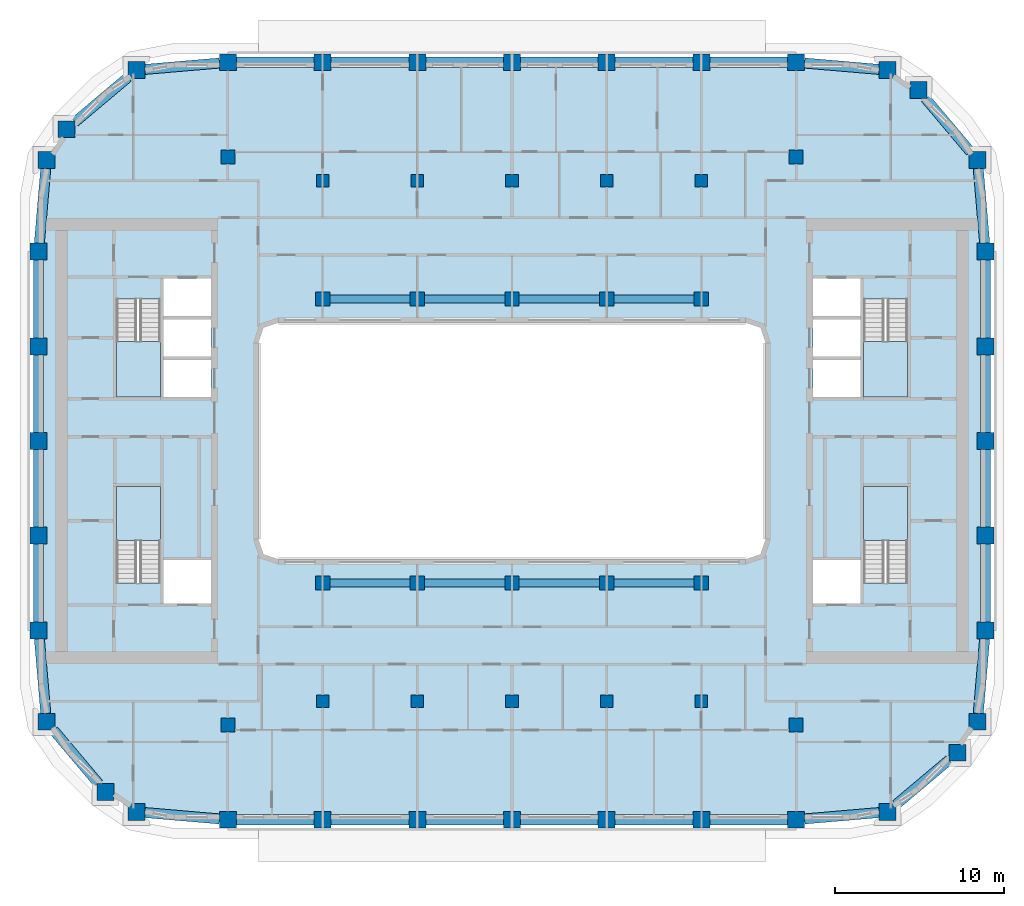
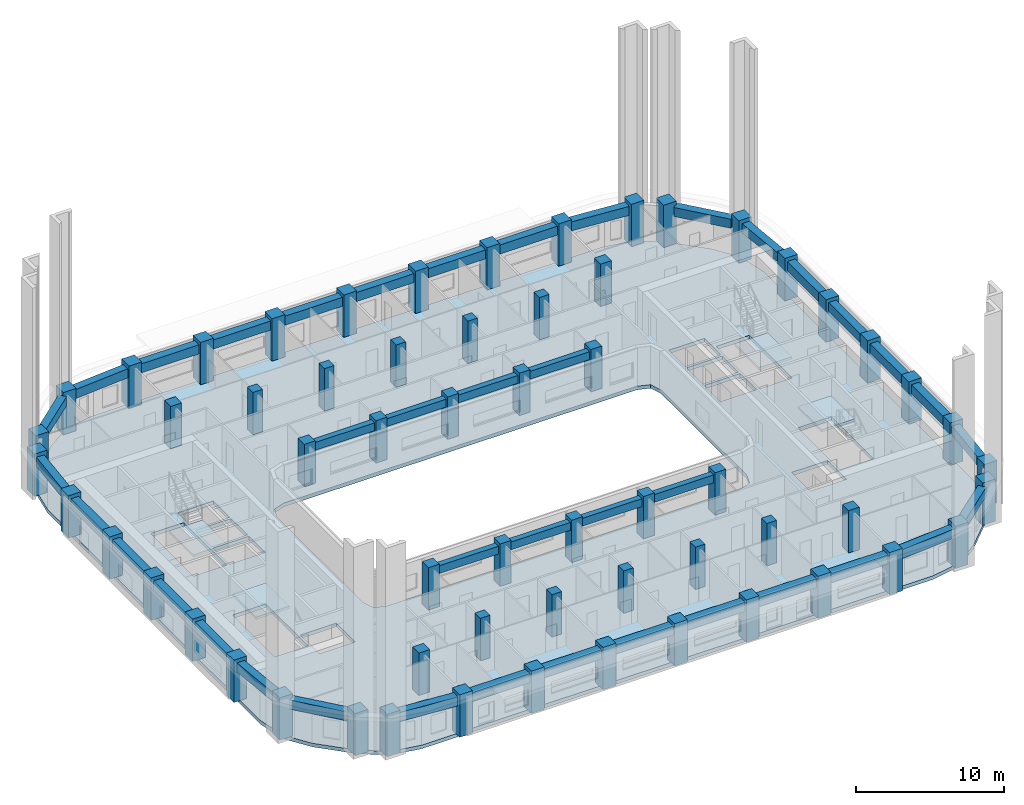
# One storey, part 1 of 22: 60 columns, 40 beams, 5 slabs, 4 elements without a shape of their own.
"""IFC4 building model written with IfcOpenShell, lengths in metres."""

from ifc_helpers import new_model, si_unit, direction, frame, origin, origin_2d, place, context, subcontext, project, spatial, polyline, rectangle, outline, extrude, material, layer, layer_set, material_profile, profile_set, type_object, element, aggregate, save


model = new_model("IFC4")

# Units and contexts
model_context = context("Model", 3, precision=1e-05, world=origin(), true_north=direction((0.0, 1.0)))
body_context = subcontext(model_context, "Body", "Model", "MODEL_VIEW")
ifc_project = project(units=[si_unit("LENGTHUNIT", "METRE"), si_unit("AREAUNIT", "SQUARE_METRE"), si_unit("VOLUMEUNIT", "CUBIC_METRE"), si_unit("PLANEANGLEUNIT", "RADIAN"), si_unit("MASSUNIT", "GRAM", prefix="KILO")], contexts=[model_context])

# Site, building, storey
site_placement = place(None, origin())
site = spatial("IfcSite", under=ifc_project, at=site_placement, CompositionType="ELEMENT")
building_placement = place(site_placement, origin())
building = spatial("IfcBuilding", under=site, at=building_placement, Name="Kiln Ring Residences", CompositionType="ELEMENT")
storey_placement = place(building_placement, frame((0.0, 0.0, 160.60009765625)))
storey = spatial("IfcBuildingStorey", under=building, at=storey_placement, Name="L41", CompositionType="ELEMENT", Elevation=160.60009765625)

# Columns
ifc_material_1 = material(Name="Concrete C70/85", Category="concrete")
ifc_material_profile_1 = material_profile(ifc_material_1, rectangle(XDim=0.75, YDim=0.75, at=origin_2d()), Name="RC750x750")
ifc_profile_set_1 = profile_set([ifc_material_profile_1], Name="Concrete C70/85")
column_type_1 = type_object("IfcColumnType", Name="Corridor column RC750x750 C70/85", PredefinedType="COLUMN", material=ifc_profile_set_1)
for number, where, z_axis, x_axis, name in (
    (1, (-11.199951171875, 15.39990234375, 0.0), (0.0, 0.0, 1.0), (1.0, 0.0, 0.0), "Corridor column L41 1"),
    (2, (-5.60009765625, 15.39990234375, 0.0), (0.0, 0.0, 1.0), (1.0, 0.0, 0.0), "Corridor column L41 2"),
    (3, (0.0, 15.39990234375, 0.0), (0.0, 0.0, 1.0), (1.0, 0.0, 0.0), "Corridor column L41 3"),
    (4, (5.60009765625, 15.39990234375, 0.0), (0.0, 0.0, 1.0), (1.0, 0.0, 0.0), "Corridor column L41 4"),
    (5, (11.199951171875, 15.39990234375, 0.0), (0.0, 0.0, 1.0), (1.0, 0.0, 0.0), "Corridor column L41 5"),
    (6, (-11.199951171875, -15.39990234375, 0.0), (0.0, 0.0, 1.0), (1.0, 0.0, 0.0), "Corridor column L41 6"),
    (7, (-5.60009765625, -15.39990234375, 0.0), (0.0, 0.0, 1.0), (1.0, 0.0, 0.0), "Corridor column L41 7"),
    (8, (0.0, -15.39990234375, 0.0), (0.0, 0.0, 1.0), (1.0, 0.0, 0.0), "Corridor column L41 8"),
    (9, (5.60009765625, -15.39990234375, 0.0), (0.0, 0.0, 1.0), (1.0, 0.0, 0.0), "Corridor column L41 9"),
    (10, (11.199951171875, -15.39990234375, 0.0), (0.0, 0.0, 1.0), (1.0, 0.0, 0.0), "Corridor column L41 10"),
):
    element("IfcColumn", number, at=place(storey_placement, frame(where, z_axis=z_axis, x_axis=x_axis)), inside=storey, type_object=column_type_1, Name=name, PredefinedType="COLUMN", context=body_context, shape_type="SweptSolid", body=[
        extrude(rectangle(XDim=0.75, YDim=0.75, at=origin_2d()), origin(), (0.0, 0.0, 1.0), 3.5),
    ])
ifc_material_2 = material(Name="Concrete C70/85", Category="concrete")
ifc_material_profile_2 = material_profile(ifc_material_2, rectangle(XDim=1.0, YDim=1.0, at=origin_2d()), Name="RC1000x1000")
ifc_profile_set_2 = profile_set([ifc_material_profile_2], Name="Concrete C70/85")
column_type_2 = type_object("IfcColumnType", Name="Perimeter column RC1000x1000 C70/85", PredefinedType="COLUMN", material=ifc_profile_set_2)
for number, where, z_axis, x_axis, name in (
    (11, (-22.208740234375, -21.93798828125, 0.0), (0.0, 0.0, 1.0), (1.0, 0.0, 0.0), "Perimeter column L41 1"),
    (12, (-16.800048828125, -22.39990234375, 0.0), (0.0, 0.0, 1.0), (1.0, 0.0, 0.0), "Perimeter column L41 2"),
    (13, (-11.199951171875, -22.39990234375, 0.0), (0.0, 0.0, 1.0), (1.0, 0.0, 0.0), "Perimeter column L41 3"),
    (14, (-5.60009765625, -22.39990234375, 0.0), (0.0, 0.0, 1.0), (1.0, 0.0, 0.0), "Perimeter column L41 4"),
    (15, (0.0, -22.39990234375, 0.0), (0.0, 0.0, 1.0), (1.0, 0.0, 0.0), "Perimeter column L41 5"),
    (16, (5.60009765625, -22.39990234375, 0.0), (0.0, 0.0, 1.0), (1.0, 0.0, 0.0), "Perimeter column L41 6"),
    (17, (11.199951171875, -22.39990234375, 0.0), (0.0, 0.0, 1.0), (1.0, 0.0, 0.0), "Perimeter column L41 7"),
    (18, (16.800048828125, -22.39990234375, 0.0), (0.0, 0.0, 1.0), (1.0, 0.0, 0.0), "Perimeter column L41 8"),
    (19, (22.208740234375, -21.93798828125, 0.0), (0.0, 0.0, 1.0), (1.0, 0.0, 0.0), "Perimeter column L41 9"),
    (20, (26.35986328125, -18.440185546875, 0.0), (0.0, 0.0, 1.0), (1.0, 0.0, 0.0), "Perimeter column L41 10"),
    (21, (27.5380859375, -16.608642578125, 0.0), (0.0, 0.0, 1.0), (1.0, 0.0, 0.0), "Perimeter column L41 11"),
    (22, (28.0, -11.199951171875, 0.0), (0.0, 0.0, 1.0), (1.0, 0.0, 0.0), "Perimeter column L41 12"),
    (23, (28.0, -5.60009765625, 0.0), (0.0, 0.0, 1.0), (1.0, 0.0, 0.0), "Perimeter column L41 13"),
    (24, (28.0, 0.0, 0.0), (0.0, 0.0, 1.0), (1.0, 0.0, 0.0), "Perimeter column L41 14"),
    (25, (28.0, 5.60009765625, 0.0), (0.0, 0.0, 1.0), (1.0, 0.0, 0.0), "Perimeter column L41 15"),
    (26, (28.0, 11.199951171875, 0.0), (0.0, 0.0, 1.0), (1.0, 0.0, 0.0), "Perimeter column L41 16"),
    (27, (27.5380859375, 16.608642578125, 0.0), (0.0, 0.0, 1.0), (1.0, 0.0, 0.0), "Perimeter column L41 17"),
    (28, (24.040283203125, 20.759765625, 0.0), (0.0, 0.0, 1.0), (1.0, 0.0, 0.0), "Perimeter column L41 18"),
    (29, (22.208740234375, 21.93798828125, 0.0), (0.0, 0.0, 1.0), (1.0, 0.0, 0.0), "Perimeter column L41 19"),
    (30, (16.800048828125, 22.39990234375, 0.0), (0.0, 0.0, 1.0), (1.0, 0.0, 0.0), "Perimeter column L41 20"),
    (31, (11.199951171875, 22.39990234375, 0.0), (0.0, 0.0, 1.0), (1.0, 0.0, 0.0), "Perimeter column L41 21"),
    (32, (5.60009765625, 22.39990234375, 0.0), (0.0, 0.0, 1.0), (1.0, 0.0, 0.0), "Perimeter column L41 22"),
    (33, (0.0, 22.39990234375, 0.0), (0.0, 0.0, 1.0), (1.0, 0.0, 0.0), "Perimeter column L41 23"),
    (34, (-5.60009765625, 22.39990234375, 0.0), (0.0, 0.0, 1.0), (1.0, 0.0, 0.0), "Perimeter column L41 24"),
    (35, (-11.199951171875, 22.39990234375, 0.0), (0.0, 0.0, 1.0), (1.0, 0.0, 0.0), "Perimeter column L41 25"),
    (36, (-16.800048828125, 22.39990234375, 0.0), (0.0, 0.0, 1.0), (1.0, 0.0, 0.0), "Perimeter column L41 26"),
    (37, (-22.208740234375, 21.93798828125, 0.0), (0.0, 0.0, 1.0), (1.0, 0.0, 0.0), "Perimeter column L41 27"),
    (38, (-26.35986328125, 18.440185546875, 0.0), (0.0, 0.0, 1.0), (1.0, 0.0, 0.0), "Perimeter column L41 28"),
    (39, (-27.5380859375, 16.608642578125, 0.0), (0.0, 0.0, 1.0), (1.0, 0.0, 0.0), "Perimeter column L41 29"),
    (40, (-28.0, 11.199951171875, 0.0), (0.0, 0.0, 1.0), (1.0, 0.0, 0.0), "Perimeter column L41 30"),
    (41, (-28.0, 5.60009765625, 0.0), (0.0, 0.0, 1.0), (1.0, 0.0, 0.0), "Perimeter column L41 31"),
    (42, (-28.0, 0.0, 0.0), (0.0, 0.0, 1.0), (1.0, 0.0, 0.0), "Perimeter column L41 32"),
    (43, (-28.0, -5.60009765625, 0.0), (0.0, 0.0, 1.0), (1.0, 0.0, 0.0), "Perimeter column L41 33"),
    (44, (-28.0, -11.199951171875, 0.0), (0.0, 0.0, 1.0), (1.0, 0.0, 0.0), "Perimeter column L41 34"),
    (45, (-27.5380859375, -16.608642578125, 0.0), (0.0, 0.0, 1.0), (1.0, 0.0, 0.0), "Perimeter column L41 35"),
    (46, (-24.040283203125, -20.759765625, 0.0), (0.0, 0.0, 1.0), (1.0, 0.0, 0.0), "Perimeter column L41 36"),
):
    element("IfcColumn", number, at=place(storey_placement, frame(where, z_axis=z_axis, x_axis=x_axis)), inside=storey, type_object=column_type_2, Name=name, PredefinedType="COLUMN", context=body_context, shape_type="SweptSolid", body=[
        extrude(rectangle(XDim=1.0, YDim=1.0, at=origin_2d()), origin(), (0.0, 0.0, 1.0), 3.5),
    ])
ifc_material_3 = material(Name="Concrete C70/85", Category="concrete")
ifc_material_profile_3 = material_profile(ifc_material_3, rectangle(XDim=0.85009765625, YDim=0.85009765625, at=origin_2d()), Name="RC850x850")
ifc_profile_set_3 = profile_set([ifc_material_profile_3], Name="Concrete C70/85")
column_type_3 = type_object("IfcColumnType", Name="Ring column RC850x850 C70/85", PredefinedType="COLUMN", material=ifc_profile_set_3)
for number, where, z_axis, x_axis, name in (
    (47, (-16.800048828125, -16.800048828125, 0.0), (0.0, 0.0, 1.0), (1.0, 0.0, 0.0), "Ring column L41 1"),
    (48, (-16.800048828125, 16.800048828125, 0.0), (0.0, 0.0, 1.0), (1.0, 0.0, 0.0), "Ring column L41 2"),
    (49, (-11.199951171875, -8.39990234375, 0.0), (0.0, 0.0, 1.0), (1.0, 0.0, 0.0), "Ring column L41 3"),
    (50, (-11.199951171875, 8.39990234375, 0.0), (0.0, 0.0, 1.0), (1.0, 0.0, 0.0), "Ring column L41 4"),
    (51, (-5.60009765625, -8.39990234375, 0.0), (0.0, 0.0, 1.0), (1.0, 0.0, 0.0), "Ring column L41 5"),
    (52, (-5.60009765625, 8.39990234375, 0.0), (0.0, 0.0, 1.0), (1.0, 0.0, 0.0), "Ring column L41 6"),
    (53, (0.0, -8.39990234375, 0.0), (0.0, 0.0, 1.0), (1.0, 0.0, 0.0), "Ring column L41 7"),
    (54, (0.0, 8.39990234375, 0.0), (0.0, 0.0, 1.0), (1.0, 0.0, 0.0), "Ring column L41 8"),
    (55, (5.60009765625, -8.39990234375, 0.0), (0.0, 0.0, 1.0), (1.0, 0.0, 0.0), "Ring column L41 9"),
    (56, (5.60009765625, 8.39990234375, 0.0), (0.0, 0.0, 1.0), (1.0, 0.0, 0.0), "Ring column L41 10"),
    (57, (11.199951171875, -8.39990234375, 0.0), (0.0, 0.0, 1.0), (1.0, 0.0, 0.0), "Ring column L41 11"),
    (58, (11.199951171875, 8.39990234375, 0.0), (0.0, 0.0, 1.0), (1.0, 0.0, 0.0), "Ring column L41 12"),
    (59, (16.800048828125, -16.800048828125, 0.0), (0.0, 0.0, 1.0), (1.0, 0.0, 0.0), "Ring column L41 13"),
    (60, (16.800048828125, 16.800048828125, 0.0), (0.0, 0.0, 1.0), (1.0, 0.0, 0.0), "Ring column L41 14"),
):
    element("IfcColumn", number, at=place(storey_placement, frame(where, z_axis=z_axis, x_axis=x_axis)), inside=storey, type_object=column_type_3, Name=name, PredefinedType="COLUMN", context=body_context, shape_type="SweptSolid", body=[
        extrude(rectangle(XDim=0.85009765625, YDim=0.85009765625, at=origin_2d()), origin(), (0.0, 0.0, 1.0), 3.5),
    ])

# Beams
ifc_material_4 = material(Name="Concrete C50/60", Category="concrete")
ifc_material_profile_4 = material_profile(ifc_material_4, rectangle(XDim=0.449951171875, YDim=0.64990234375, at=origin_2d()), Name="RC450x650")
ifc_profile_set_4 = profile_set([ifc_material_profile_4], Name="Concrete C50/60")
beam_type_1 = type_object("IfcBeamType", Name="Ring beam RC450x650 C50/60", PredefinedType="BEAM", material=ifc_profile_set_4)
for number, where, z_axis, x_axis, name in (
    (61, (-10.77490234375, -8.39990234375, 2.875), (1.0, 0.0, 0.0), (0.0, 1.0, 0.0), "Ring beam L41 1"),
    (62, (-5.175048828125, -8.39990234375, 2.875), (1.0, 0.0, 0.0), (0.0, 1.0, 0.0), "Ring beam L41 2"),
    (63, (0.425048828125, -8.39990234375, 2.875), (1.0, 0.0, 0.0), (0.0, 1.0, 0.0), "Ring beam L41 3"),
    (64, (6.02490234375, -8.39990234375, 2.875), (1.0, 0.0, 0.0), (0.0, 1.0, 0.0), "Ring beam L41 4"),
    (65, (-10.77490234375, 8.39990234375, 2.875), (1.0, 0.0, 0.0), (0.0, 1.0, 0.0), "Ring beam L41 5"),
    (66, (-5.175048828125, 8.39990234375, 2.875), (1.0, 0.0, 0.0), (0.0, 1.0, 0.0), "Ring beam L41 6"),
    (67, (0.425048828125, 8.39990234375, 2.875), (1.0, 0.0, 0.0), (0.0, 1.0, 0.0), "Ring beam L41 7"),
    (68, (6.02490234375, 8.39990234375, 2.875), (1.0, 0.0, 0.0), (0.0, 1.0, 0.0), "Ring beam L41 8"),
):
    element("IfcBeam", number, at=place(storey_placement, frame(where, z_axis=z_axis, x_axis=x_axis)), inside=storey, type_object=beam_type_1, Name=name, PredefinedType="BEAM", context=body_context, shape_type="SweptSolid", body=[
        extrude(rectangle(XDim=0.449951171875, YDim=0.64990234375, at=origin_2d()), origin(), (0.0, 0.0, 1.0), 4.75),
    ])
ifc_material_5 = material(Name="Concrete C50/60", Category="concrete")
ifc_material_profile_5 = material_profile(ifc_material_5, rectangle(XDim=0.60009765625, YDim=0.75, at=origin_2d()), Name="RC600x750")
ifc_profile_set_5 = profile_set([ifc_material_profile_5], Name="Concrete C50/60")
beam_type_2 = type_object("IfcBeamType", Name="Spandrel beam RC600x750 C50/60", PredefinedType="SPANDREL", material=ifc_profile_set_5)
beam_1_placement = place(storey_placement, frame((-21.708740234375, -21.980712890625, 2.824951171875), z_axis=(0.996369283519, -0.0851366599, 0.0), x_axis=(0.0851366599, 0.996369283519, 0.0)))
element("IfcBeam", 69, at=beam_1_placement, inside=storey, type_object=beam_type_2, Name="Spandrel beam L41 1", PredefinedType="SPANDREL", context=body_context, shape_type="SweptSolid", body=[
    extrude(rectangle(XDim=0.60009765625, YDim=0.75, at=origin_2d()), origin(), (0.0, 0.0, 1.0), 4.4248046875),
])
beam_2_placement = place(storey_placement, frame((-16.300048828125, -22.39990234375, 2.824951171875), z_axis=(1.0, 0.0, 0.0), x_axis=(0.0, 1.0, 0.0)))
element("IfcBeam", 70, at=beam_2_placement, inside=storey, type_object=beam_type_2, Name="Spandrel beam L41 2", PredefinedType="SPANDREL", context=body_context, shape_type="SweptSolid", body=[
    extrude(rectangle(XDim=0.60009765625, YDim=0.75, at=origin_2d()), origin(), (0.0, 0.0, 1.0), 4.60009765625),
])
beam_3_placement = place(storey_placement, frame((-10.699951171875, -22.39990234375, 2.824951171875), z_axis=(1.0, 0.0, 0.0), x_axis=(0.0, 1.0, 0.0)))
element("IfcBeam", 71, at=beam_3_placement, inside=storey, type_object=beam_type_2, Name="Spandrel beam L41 3", PredefinedType="SPANDREL", context=body_context, shape_type="SweptSolid", body=[
    extrude(rectangle(XDim=0.60009765625, YDim=0.75, at=origin_2d()), origin(), (0.0, 0.0, 1.0), 4.599853515625),
])
for number, where, z_axis, x_axis, name in (
    (72, (-5.10009765625, -22.39990234375, 2.824951171875), (1.0, 0.0, 0.0), (0.0, 1.0, 0.0), "Spandrel beam L41 4"),
    (73, (0.5, -22.39990234375, 2.824951171875), (1.0, 0.0, 0.0), (0.0, 1.0, 0.0), "Spandrel beam L41 5"),
):
    element("IfcBeam", number, at=place(storey_placement, frame(where, z_axis=z_axis, x_axis=x_axis)), inside=storey, type_object=beam_type_2, Name=name, PredefinedType="SPANDREL", context=body_context, shape_type="SweptSolid", body=[
        extrude(rectangle(XDim=0.60009765625, YDim=0.75, at=origin_2d()), origin(), (0.0, 0.0, 1.0), 4.60009765625),
    ])
beam_4_placement = place(storey_placement, frame((6.10009765625, -22.39990234375, 2.824951171875), z_axis=(1.0, 0.0, 0.0), x_axis=(0.0, 1.0, 0.0)))
element("IfcBeam", 74, at=beam_4_placement, inside=storey, type_object=beam_type_2, Name="Spandrel beam L41 6", PredefinedType="SPANDREL", context=body_context, shape_type="SweptSolid", body=[
    extrude(rectangle(XDim=0.60009765625, YDim=0.75, at=origin_2d()), origin(), (0.0, 0.0, 1.0), 4.599853515625),
])
beam_5_placement = place(storey_placement, frame((11.699951171875, -22.39990234375, 2.824951171875), z_axis=(1.0, 0.0, 0.0), x_axis=(0.0, 1.0, 0.0)))
element("IfcBeam", 75, at=beam_5_placement, inside=storey, type_object=beam_type_2, Name="Spandrel beam L41 7", PredefinedType="SPANDREL", context=body_context, shape_type="SweptSolid", body=[
    extrude(rectangle(XDim=0.60009765625, YDim=0.75, at=origin_2d()), origin(), (0.0, 0.0, 1.0), 4.60009765625),
])
beam_6_placement = place(storey_placement, frame((17.300048828125, -22.357421875, 2.824951171875), z_axis=(0.996369283519, 0.0851366599, 0.0), x_axis=(-0.0851366599, 0.996369283519, 0.0)))
element("IfcBeam", 76, at=beam_6_placement, inside=storey, type_object=beam_type_2, Name="Spandrel beam L41 8", PredefinedType="SPANDREL", context=body_context, shape_type="SweptSolid", body=[
    extrude(rectangle(XDim=0.60009765625, YDim=0.75, at=origin_2d()), origin(), (0.0, 0.0, 1.0), 4.4248046875),
])
beam_7_placement = place(storey_placement, frame((22.708740234375, -21.516845703125, 2.824951171875), z_axis=(0.764708354916, 0.644376545136, 0.0), x_axis=(-0.644376545136, 0.764708354916, 0.0)))
element("IfcBeam", 77, at=beam_7_placement, inside=storey, type_object=beam_type_2, Name="Spandrel beam L41 9", PredefinedType="SPANDREL", context=body_context, shape_type="SweptSolid", body=[
    extrude(rectangle(XDim=0.60009765625, YDim=0.75, at=origin_2d()), origin(), (0.0, 0.0, 1.0), 4.12060546875),
])
beam_8_placement = place(storey_placement, frame((27.580810546875, -16.108642578125, 2.824951171875), z_axis=(0.085081883384, 0.996373962486, 0.0), x_axis=(-0.996373962486, 0.085081883384, 0.0)))
element("IfcBeam", 78, at=beam_8_placement, inside=storey, type_object=beam_type_2, Name="Spandrel beam L41 10", PredefinedType="SPANDREL", context=body_context, shape_type="SweptSolid", body=[
    extrude(rectangle(XDim=0.60009765625, YDim=0.75, at=origin_2d()), origin(), (0.0, 0.0, 1.0), 4.4248046875),
])
beam_9_placement = place(storey_placement, frame((28.0, -10.699951171875, 2.824951171875), z_axis=(0.0, 1.0, 0.0), x_axis=(-1.0, 0.0, 0.0)))
element("IfcBeam", 79, at=beam_9_placement, inside=storey, type_object=beam_type_2, Name="Spandrel beam L41 11", PredefinedType="SPANDREL", context=body_context, shape_type="SweptSolid", body=[
    extrude(rectangle(XDim=0.60009765625, YDim=0.75, at=origin_2d()), origin(), (0.0, 0.0, 1.0), 4.599853515625),
])
for number, where, z_axis, x_axis, name in (
    (80, (28.0, -5.10009765625, 2.824951171875), (0.0, 1.0, 0.0), (-1.0, 0.0, 0.0), "Spandrel beam L41 12"),
    (81, (28.0, 0.5, 2.824951171875), (0.0, 1.0, 0.0), (-1.0, 0.0, 0.0), "Spandrel beam L41 13"),
):
    element("IfcBeam", number, at=place(storey_placement, frame(where, z_axis=z_axis, x_axis=x_axis)), inside=storey, type_object=beam_type_2, Name=name, PredefinedType="SPANDREL", context=body_context, shape_type="SweptSolid", body=[
        extrude(rectangle(XDim=0.60009765625, YDim=0.75, at=origin_2d()), origin(), (0.0, 0.0, 1.0), 4.60009765625),
    ])
beam_10_placement = place(storey_placement, frame((28.0, 6.10009765625, 2.824951171875), z_axis=(0.0, 1.0, 0.0), x_axis=(-1.0, 0.0, 0.0)))
element("IfcBeam", 82, at=beam_10_placement, inside=storey, type_object=beam_type_2, Name="Spandrel beam L41 14", PredefinedType="SPANDREL", context=body_context, shape_type="SweptSolid", body=[
    extrude(rectangle(XDim=0.60009765625, YDim=0.75, at=origin_2d()), origin(), (0.0, 0.0, 1.0), 4.599853515625),
])
beam_11_placement = place(storey_placement, frame((27.957275390625, 11.699951171875, 2.824951171875), z_axis=(-0.085081883384, 0.996373962486, 0.0), x_axis=(-0.996373962486, -0.085081883384, 0.0)))
element("IfcBeam", 83, at=beam_11_placement, inside=storey, type_object=beam_type_2, Name="Spandrel beam L41 15", PredefinedType="SPANDREL", context=body_context, shape_type="SweptSolid", body=[
    extrude(rectangle(XDim=0.60009765625, YDim=0.75, at=origin_2d()), origin(), (0.0, 0.0, 1.0), 4.4248046875),
])
beam_12_placement = place(storey_placement, frame((27.11669921875, 17.108642578125, 2.824951171875), z_axis=(-0.644376545136, 0.764708354916, 0.0), x_axis=(-0.764708354916, -0.644376545136, 0.0)))
element("IfcBeam", 84, at=beam_12_placement, inside=storey, type_object=beam_type_2, Name="Spandrel beam L41 16", PredefinedType="SPANDREL", context=body_context, shape_type="SweptSolid", body=[
    extrude(rectangle(XDim=0.60009765625, YDim=0.75, at=origin_2d()), origin(), (0.0, 0.0, 1.0), 4.12060546875),
])
beam_13_placement = place(storey_placement, frame((21.708740234375, 21.980712890625, 2.824951171875), z_axis=(-0.996369283519, 0.0851366599, 0.0), x_axis=(-0.0851366599, -0.996369283519, 0.0)))
element("IfcBeam", 85, at=beam_13_placement, inside=storey, type_object=beam_type_2, Name="Spandrel beam L41 17", PredefinedType="SPANDREL", context=body_context, shape_type="SweptSolid", body=[
    extrude(rectangle(XDim=0.60009765625, YDim=0.75, at=origin_2d()), origin(), (0.0, 0.0, 1.0), 4.4248046875),
])
beam_14_placement = place(storey_placement, frame((16.300048828125, 22.39990234375, 2.824951171875), z_axis=(-1.0, 0.0, 0.0), x_axis=(0.0, -1.0, 0.0)))
element("IfcBeam", 86, at=beam_14_placement, inside=storey, type_object=beam_type_2, Name="Spandrel beam L41 18", PredefinedType="SPANDREL", context=body_context, shape_type="SweptSolid", body=[
    extrude(rectangle(XDim=0.60009765625, YDim=0.75, at=origin_2d()), origin(), (0.0, 0.0, 1.0), 4.60009765625),
])
beam_15_placement = place(storey_placement, frame((10.699951171875, 22.39990234375, 2.824951171875), z_axis=(-1.0, 0.0, 0.0), x_axis=(0.0, -1.0, 0.0)))
element("IfcBeam", 87, at=beam_15_placement, inside=storey, type_object=beam_type_2, Name="Spandrel beam L41 19", PredefinedType="SPANDREL", context=body_context, shape_type="SweptSolid", body=[
    extrude(rectangle(XDim=0.60009765625, YDim=0.75, at=origin_2d()), origin(), (0.0, 0.0, 1.0), 4.599853515625),
])
for number, where, z_axis, x_axis, name in (
    (88, (5.10009765625, 22.39990234375, 2.824951171875), (-1.0, 0.0, 0.0), (0.0, -1.0, 0.0), "Spandrel beam L41 20"),
    (89, (-0.5, 22.39990234375, 2.824951171875), (-1.0, 0.0, 0.0), (0.0, -1.0, 0.0), "Spandrel beam L41 21"),
):
    element("IfcBeam", number, at=place(storey_placement, frame(where, z_axis=z_axis, x_axis=x_axis)), inside=storey, type_object=beam_type_2, Name=name, PredefinedType="SPANDREL", context=body_context, shape_type="SweptSolid", body=[
        extrude(rectangle(XDim=0.60009765625, YDim=0.75, at=origin_2d()), origin(), (0.0, 0.0, 1.0), 4.60009765625),
    ])
beam_16_placement = place(storey_placement, frame((-6.10009765625, 22.39990234375, 2.824951171875), z_axis=(-1.0, 0.0, 0.0), x_axis=(0.0, -1.0, 0.0)))
element("IfcBeam", 90, at=beam_16_placement, inside=storey, type_object=beam_type_2, Name="Spandrel beam L41 22", PredefinedType="SPANDREL", context=body_context, shape_type="SweptSolid", body=[
    extrude(rectangle(XDim=0.60009765625, YDim=0.75, at=origin_2d()), origin(), (0.0, 0.0, 1.0), 4.599853515625),
])
beam_17_placement = place(storey_placement, frame((-11.699951171875, 22.39990234375, 2.824951171875), z_axis=(-1.0, 0.0, 0.0), x_axis=(0.0, -1.0, 0.0)))
element("IfcBeam", 91, at=beam_17_placement, inside=storey, type_object=beam_type_2, Name="Spandrel beam L41 23", PredefinedType="SPANDREL", context=body_context, shape_type="SweptSolid", body=[
    extrude(rectangle(XDim=0.60009765625, YDim=0.75, at=origin_2d()), origin(), (0.0, 0.0, 1.0), 4.60009765625),
])
beam_18_placement = place(storey_placement, frame((-17.300048828125, 22.357421875, 2.824951171875), z_axis=(-0.996369283519, -0.0851366599, 0.0), x_axis=(0.0851366599, -0.996369283519, 0.0)))
element("IfcBeam", 92, at=beam_18_placement, inside=storey, type_object=beam_type_2, Name="Spandrel beam L41 24", PredefinedType="SPANDREL", context=body_context, shape_type="SweptSolid", body=[
    extrude(rectangle(XDim=0.60009765625, YDim=0.75, at=origin_2d()), origin(), (0.0, 0.0, 1.0), 4.4248046875),
])
beam_19_placement = place(storey_placement, frame((-22.708740234375, 21.516845703125, 2.824951171875), z_axis=(-0.764708354916, -0.644376545136, 0.0), x_axis=(0.644376545136, -0.764708354916, 0.0)))
element("IfcBeam", 93, at=beam_19_placement, inside=storey, type_object=beam_type_2, Name="Spandrel beam L41 25", PredefinedType="SPANDREL", context=body_context, shape_type="SweptSolid", body=[
    extrude(rectangle(XDim=0.60009765625, YDim=0.75, at=origin_2d()), origin(), (0.0, 0.0, 1.0), 4.12060546875),
])
beam_20_placement = place(storey_placement, frame((-27.580810546875, 16.108642578125, 2.824951171875), z_axis=(-0.085081883384, -0.996373962486, 0.0), x_axis=(0.996373962486, -0.085081883384, 0.0)))
element("IfcBeam", 94, at=beam_20_placement, inside=storey, type_object=beam_type_2, Name="Spandrel beam L41 26", PredefinedType="SPANDREL", context=body_context, shape_type="SweptSolid", body=[
    extrude(rectangle(XDim=0.60009765625, YDim=0.75, at=origin_2d()), origin(), (0.0, 0.0, 1.0), 4.4248046875),
])
beam_21_placement = place(storey_placement, frame((-28.0, 10.699951171875, 2.824951171875), z_axis=(0.0, -1.0, 0.0), x_axis=(1.0, 0.0, 0.0)))
element("IfcBeam", 95, at=beam_21_placement, inside=storey, type_object=beam_type_2, Name="Spandrel beam L41 27", PredefinedType="SPANDREL", context=body_context, shape_type="SweptSolid", body=[
    extrude(rectangle(XDim=0.60009765625, YDim=0.75, at=origin_2d()), origin(), (0.0, 0.0, 1.0), 4.599853515625),
])
for number, where, z_axis, x_axis, name in (
    (96, (-28.0, 5.10009765625, 2.824951171875), (0.0, -1.0, 0.0), (1.0, 0.0, 0.0), "Spandrel beam L41 28"),
    (97, (-28.0, -0.5, 2.824951171875), (0.0, -1.0, 0.0), (1.0, 0.0, 0.0), "Spandrel beam L41 29"),
):
    element("IfcBeam", number, at=place(storey_placement, frame(where, z_axis=z_axis, x_axis=x_axis)), inside=storey, type_object=beam_type_2, Name=name, PredefinedType="SPANDREL", context=body_context, shape_type="SweptSolid", body=[
        extrude(rectangle(XDim=0.60009765625, YDim=0.75, at=origin_2d()), origin(), (0.0, 0.0, 1.0), 4.60009765625),
    ])
beam_22_placement = place(storey_placement, frame((-28.0, -6.10009765625, 2.824951171875), z_axis=(0.0, -1.0, 0.0), x_axis=(1.0, 0.0, 0.0)))
element("IfcBeam", 98, at=beam_22_placement, inside=storey, type_object=beam_type_2, Name="Spandrel beam L41 30", PredefinedType="SPANDREL", context=body_context, shape_type="SweptSolid", body=[
    extrude(rectangle(XDim=0.60009765625, YDim=0.75, at=origin_2d()), origin(), (0.0, 0.0, 1.0), 4.599853515625),
])
beam_23_placement = place(storey_placement, frame((-27.957275390625, -11.699951171875, 2.824951171875), z_axis=(0.085081883384, -0.996373962486, 0.0), x_axis=(0.996373962486, 0.085081883384, 0.0)))
element("IfcBeam", 99, at=beam_23_placement, inside=storey, type_object=beam_type_2, Name="Spandrel beam L41 31", PredefinedType="SPANDREL", context=body_context, shape_type="SweptSolid", body=[
    extrude(rectangle(XDim=0.60009765625, YDim=0.75, at=origin_2d()), origin(), (0.0, 0.0, 1.0), 4.4248046875),
])
beam_24_placement = place(storey_placement, frame((-27.11669921875, -17.108642578125, 2.824951171875), z_axis=(0.644376545136, -0.764708354916, 0.0), x_axis=(0.764708354916, 0.644376545136, 0.0)))
element("IfcBeam", 100, at=beam_24_placement, inside=storey, type_object=beam_type_2, Name="Spandrel beam L41 32", PredefinedType="SPANDREL", context=body_context, shape_type="SweptSolid", body=[
    extrude(rectangle(XDim=0.60009765625, YDim=0.75, at=origin_2d()), origin(), (0.0, 0.0, 1.0), 4.12060546875),
])

# Stair, slab
ifc_material_6 = material(Name="Concrete C40/50", Category="concrete")
stair_type = type_object("IfcStairType", Name="CORE-STAIR", PredefinedType="HALF_TURN_STAIR", material=ifc_material_6)
placement_1 = place(storey_placement, origin())
stair_1 = element("IfcStair", 101, at=placement_1, inside=storey, type_object=stair_type, Name="L41 stair W-STN", PredefinedType="HALF_TURN_STAIR")
ifc_material_7 = material(Name="Concrete C40/50", Category="concrete")
ifc_layer_1 = layer(ifc_material_7, 0.199951171875)
ifc_layer_set_1 = layer_set([ifc_layer_1], Name="CORE-STAIR-LANDING")
slab_type_1 = type_object("IfcSlabType", Name="CORE-STAIR-LANDING", PredefinedType="LANDING", material=ifc_layer_set_1)
placement_2 = place(storey_placement, frame((0.0, 0.0, 1.5498046875)))
slab_1 = element("IfcSlab", 102, at=placement_2, type_object=slab_type_1, Name="W-STN landing 1", PredefinedType="LANDING", context=body_context, shape_type="SweptSolid", body=[
    extrude(outline(polyline([(-23.39990234375, 5.8798828125), (-23.39990234375, 2.60009765625), (-20.800048828125, 2.60009765625), (-20.800048828125, 5.8798828125), (-23.39990234375, 5.8798828125)])), origin(), (0.0, 0.0, 1.0), 0.2001953125),
])
aggregate(stair_1, [slab_1])

stair_2 = element("IfcStair", 103, at=placement_1, inside=storey, type_object=stair_type, Name="L41 stair W-STS", PredefinedType="HALF_TURN_STAIR")
slab_2 = element("IfcSlab", 104, at=placement_2, type_object=slab_type_1, Name="W-STS landing 1", PredefinedType="LANDING", context=body_context, shape_type="SweptSolid", body=[
    extrude(outline(polyline([(-20.800048828125, -5.8798828125), (-20.800048828125, -2.699951171875), (-23.39990234375, -2.699951171875), (-23.39990234375, -5.8798828125), (-20.800048828125, -5.8798828125)])), origin(), (0.0, 0.0, 1.0), 0.2001953125),
])
aggregate(stair_2, [slab_2])

stair_3 = element("IfcStair", 105, at=placement_1, inside=storey, type_object=stair_type, Name="L41 stair E-STN", PredefinedType="HALF_TURN_STAIR")
slab_3 = element("IfcSlab", 106, at=placement_2, type_object=slab_type_1, Name="E-STN landing 1", PredefinedType="LANDING", context=body_context, shape_type="SweptSolid", body=[
    extrude(outline(polyline([(20.800048828125, 5.8798828125), (20.800048828125, 2.60009765625), (23.39990234375, 2.60009765625), (23.39990234375, 5.8798828125), (20.800048828125, 5.8798828125)])), origin(), (0.0, 0.0, 1.0), 0.2001953125),
])
aggregate(stair_3, [slab_3])

stair_4 = element("IfcStair", 107, at=placement_1, inside=storey, type_object=stair_type, Name="L41 stair E-STS", PredefinedType="HALF_TURN_STAIR")
slab_4 = element("IfcSlab", 108, at=placement_2, type_object=slab_type_1, Name="E-STS landing 1", PredefinedType="LANDING", context=body_context, shape_type="SweptSolid", body=[
    extrude(outline(polyline([(23.39990234375, -5.8798828125), (23.39990234375, -2.699951171875), (20.800048828125, -2.699951171875), (20.800048828125, -5.8798828125), (23.39990234375, -5.8798828125)])), origin(), (0.0, 0.0, 1.0), 0.2001953125),
])
aggregate(stair_4, [slab_4])

# Slab
ifc_material_8 = material(Name="Concrete C40/50", Category="concrete")
ifc_layer_2 = layer(ifc_material_8, 0.300048828125)
ifc_layer_set_2 = layer_set([ifc_layer_2], Name="Floor slab 300")
slab_type_2 = type_object("IfcSlabType", Name="Floor slab 300", PredefinedType="FLOOR", material=ifc_layer_set_2)
slab_5_placement = place(storey_placement, frame((0.0, 0.0, -0.300048828125)))
element("IfcSlab", 109, at=slab_5_placement, inside=storey, type_object=slab_type_2, Name="Floor slab L41 1", PredefinedType="FLOOR", context=body_context, shape_type="SweptSolid", body=[
    extrude(outline(polyline([(-26.302978515625, -18.4970703125), (-24.09716796875, -20.702880859375), (-22.224365234375, -21.975830078125), (-20.0, -22.39990234375), (20.0, -22.39990234375), (22.224365234375, -21.975830078125), (24.09716796875, -20.702880859375), (26.302978515625, -18.4970703125), (27.57568359375, -16.624267578125), (28.0, -14.39990234375), (28.0, 14.39990234375), (27.57568359375, 16.624267578125), (26.302978515625, 18.4970703125), (24.09716796875, 20.702880859375), (22.224365234375, 21.975830078125), (20.0, 22.39990234375), (-20.0, 22.39990234375), (-22.224365234375, 21.975830078125), (-24.09716796875, 20.702880859375), (-26.302978515625, 18.4970703125), (-27.57568359375, 16.624267578125), (-28.0, 14.39990234375), (-28.0, -14.39990234375), (-27.57568359375, -16.624267578125), (-26.302978515625, -18.4970703125)]), holes=[polyline([(-14.699951171875, -6.699951171875), (-15.0, -5.800048828125), (-15.0, 5.800048828125), (-14.699951171875, 6.699951171875), (-13.800048828125, 7.0), (13.800048828125, 7.0), (14.699951171875, 6.699951171875), (15.0, 5.800048828125), (15.0, -5.800048828125), (14.699951171875, -6.699951171875), (13.800048828125, -7.0), (-13.800048828125, -7.0), (-14.699951171875, -6.699951171875)]), polyline([(20.800048828125, -8.39794921875), (20.800048828125, -2.699951171875), (23.39990234375, -2.699951171875), (23.39990234375, -8.39794921875), (20.800048828125, -8.39794921875)]), polyline([(23.39990234375, 2.60009765625), (20.800048828125, 2.60009765625), (20.800048828125, 8.39794921875), (23.39990234375, 8.39794921875), (23.39990234375, 2.60009765625)]), polyline([(17.800048828125, 2.60009765625), (17.800048828125, 4.800048828125), (20.60009765625, 4.800048828125), (20.60009765625, 2.60009765625), (17.800048828125, 2.60009765625)]), polyline([(17.800048828125, 5.0), (17.800048828125, 7.199951171875), (20.60009765625, 7.199951171875), (20.60009765625, 5.0), (17.800048828125, 5.0)]), polyline([(17.800048828125, 7.39990234375), (17.800048828125, 9.60009765625), (20.60009765625, 9.60009765625), (20.60009765625, 7.39990234375), (17.800048828125, 7.39990234375)]), polyline([(20.60009765625, -9.60009765625), (17.800048828125, -9.60009765625), (17.800048828125, -7.050048828125), (20.60009765625, -7.050048828125), (20.60009765625, -9.60009765625)]), polyline([(-17.800048828125, -7.050048828125), (-17.800048828125, -9.60009765625), (-20.60009765625, -9.60009765625), (-20.60009765625, -7.050048828125), (-17.800048828125, -7.050048828125)]), polyline([(-17.800048828125, 2.60009765625), (-20.60009765625, 2.60009765625), (-20.60009765625, 4.800048828125), (-17.800048828125, 4.800048828125), (-17.800048828125, 2.60009765625)]), polyline([(-17.800048828125, 5.0), (-20.60009765625, 5.0), (-20.60009765625, 7.199951171875), (-17.800048828125, 7.199951171875), (-17.800048828125, 5.0)]), polyline([(-17.800048828125, 7.39990234375), (-20.60009765625, 7.39990234375), (-20.60009765625, 9.60009765625), (-17.800048828125, 9.60009765625), (-17.800048828125, 7.39990234375)]), polyline([(-20.800048828125, -8.39794921875), (-23.39990234375, -8.39794921875), (-23.39990234375, -2.699951171875), (-20.800048828125, -2.699951171875), (-20.800048828125, -8.39794921875)]), polyline([(-20.800048828125, 8.39794921875), (-20.800048828125, 2.60009765625), (-23.39990234375, 2.60009765625), (-23.39990234375, 8.39794921875), (-20.800048828125, 8.39794921875)])]), origin(), (0.0, 0.0, 1.0), 0.300048828125),
])

save(model, "model.ifc")
